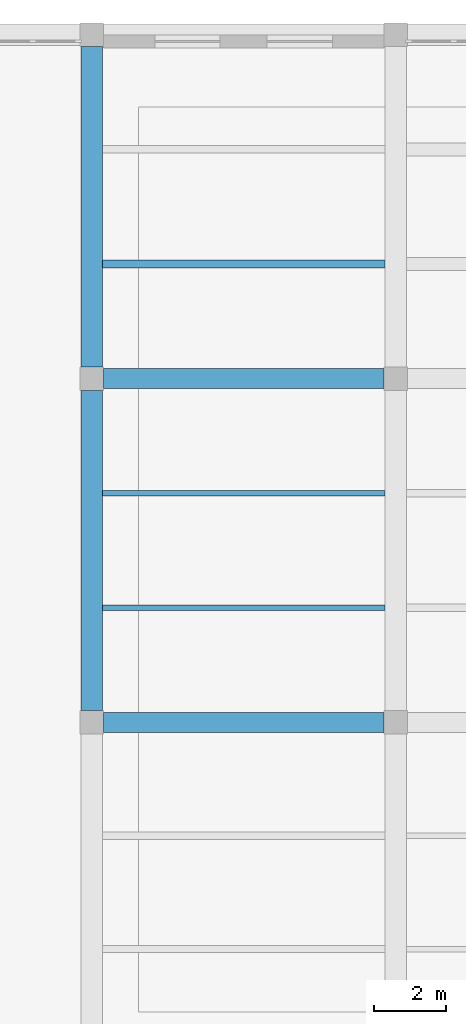
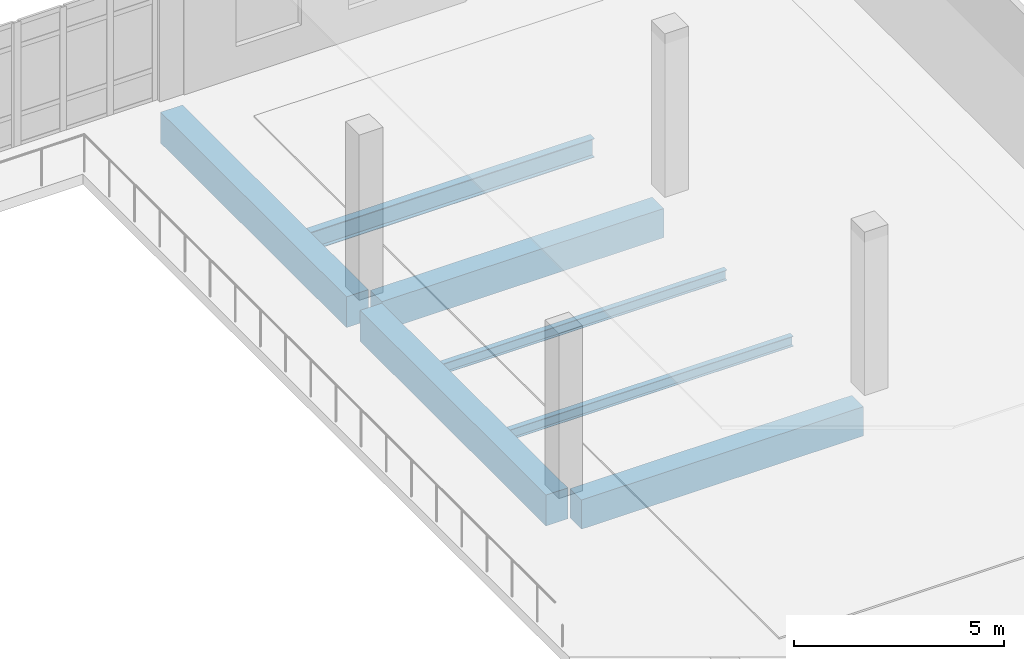
# One storey, part 21 of 73: 7 beams.
"""IFC4 building model written with IfcOpenShell, lengths in metres."""

from ifc_helpers import new_model, si_unit, direction, frame, origin, origin_2d, place, context, subcontext, project, spatial, rectangle, i_section, extrude, material, material_profile, profile_set, type_object, element, save


model = new_model("IFC4")

# Units and contexts
model_context = context("Model", 3, precision=1e-05, world=origin(), true_north=direction((0.0, 1.0)))
body_context = subcontext(model_context, "Body", "Model", "MODEL_VIEW")
ifc_project = project(units=[si_unit("LENGTHUNIT", "METRE"), si_unit("AREAUNIT", "SQUARE_METRE"), si_unit("VOLUMEUNIT", "CUBIC_METRE"), si_unit("PLANEANGLEUNIT", "RADIAN"), si_unit("MASSUNIT", "GRAM", prefix="KILO")], contexts=[model_context])

# Site, building, storey
site_placement = place(None, origin())
site = spatial("IfcSite", under=ifc_project, at=site_placement, CompositionType="ELEMENT")
building_placement = place(site_placement, origin())
building = spatial("IfcBuilding", under=site, at=building_placement, Name="Kelarvand Opera House", CompositionType="ELEMENT")
storey_placement = place(building_placement, frame((0.0, 0.0, 10.199951171875)))
storey = spatial("IfcBuildingStorey", under=building, at=storey_placement, Name="L02", CompositionType="ELEMENT", Elevation=10.199951171875)

# Beams
ifc_material_1 = material(Name="Concrete C40/50", Category="concrete")
ifc_material_profile_1 = material_profile(ifc_material_1, rectangle(XDim=0.550048828125, YDim=0.85009765625, at=origin_2d()), Name="RC 550x850", Category="concrete")
ifc_profile_set_1 = profile_set([ifc_material_profile_1], Name="Concrete C40/50")
beam_type_1 = type_object("IfcBeamType", Name="Structural Beam RC 550x850 BM-RC550x850", PredefinedType="BEAM", material=ifc_profile_set_1)
for number, where, z_axis, x_axis, name in (
    (1, (34.52490234375, 106.0, -0.724853515625), (1.0, 0.0, 0.0), (0.0, 1.0, 0.0), "V3 L02 Beam BM-RC550x850"),
    (2, (34.52490234375, 115.5, -0.724853515625), (1.0, 0.0, 0.0), (0.0, 1.0, 0.0), "V3 L02 Beam BM-RC550x850"),
):
    element("IfcBeam", number, at=place(storey_placement, frame(where, z_axis=z_axis, x_axis=x_axis)), inside=storey, type_object=beam_type_1, Name=name, PredefinedType="BEAM", context=body_context, shape_type="SweptSolid", body=[
        extrude(rectangle(XDim=0.550048828125, YDim=0.85009765625, at=origin_2d()), origin(), (0.0, 0.0, 1.0), 7.75),
    ])
ifc_material_profile_2 = material_profile(ifc_material_1, rectangle(XDim=0.60009765625, YDim=0.89990234375, at=origin_2d()), Name="RC 600x900", Category="concrete")
ifc_profile_set_2 = profile_set([ifc_material_profile_2], Name="Concrete C40/50")
beam_type_2 = type_object("IfcBeamType", Name="Structural Beam RC 600x900 BM-RC600x900", PredefinedType="BEAM", material=ifc_profile_set_2)
for number, where, z_axis, x_axis, name in (
    (3, (34.199951171875, 106.324951171875, -0.75), (0.0, 1.0, 0.0), (-1.0, 0.0, 0.0), "V3 L02 Beam BM-RC600x900"),
    (4, (34.199951171875, 115.824951171875, -0.75), (0.0, 1.0, 0.0), (-1.0, 0.0, 0.0), "V3 L02 Beam BM-RC600x900"),
):
    element("IfcBeam", number, at=place(storey_placement, frame(where, z_axis=z_axis, x_axis=x_axis)), inside=storey, type_object=beam_type_2, Name=name, PredefinedType="BEAM", context=body_context, shape_type="SweptSolid", body=[
        extrude(rectangle(XDim=0.60009765625, YDim=0.89990234375, at=origin_2d()), origin(), (0.0, 0.0, 1.0), 8.85009765625),
    ])
ifc_material_2 = material(Name="Steel S355", Category="steel")
ifc_material_profile_3 = material_profile(ifc_material_2, i_section(OverallWidth=0.14990234375, OverallDepth=0.300048828125, WebThickness=0.007080078125, FlangeThickness=0.0107421875, at=origin_2d()), Name="IPE 300", Category="steel")
ifc_profile_set_3 = profile_set([ifc_material_profile_3], Name="Steel S355")
beam_type_3 = type_object("IfcBeamType", Name="Structural Joist IPE 300 JS-IPE300", PredefinedType="JOIST", material=ifc_profile_set_3)
for number, where, z_axis, x_axis, name in (
    (5, (34.5, 109.166748046875, -0.449951171875), (1.0, 0.0, 0.0), (0.0, 1.0, 0.0), "V3 L02 Beam JS-IPE300"),
    (6, (34.5, 112.333251953125, -0.449951171875), (1.0, 0.0, 0.0), (0.0, 1.0, 0.0), "V3 L02 Beam JS-IPE300"),
):
    element("IfcBeam", number, at=place(storey_placement, frame(where, z_axis=z_axis, x_axis=x_axis)), inside=storey, type_object=beam_type_3, Name=name, PredefinedType="JOIST", context=body_context, shape_type="SweptSolid", body=[
        extrude(i_section(OverallWidth=0.14990234375, OverallDepth=0.300048828125, WebThickness=0.007080078125, FlangeThickness=0.0107421875, at=origin_2d()), origin(), (0.0, 0.0, 1.0), 7.800048828125),
    ])
ifc_material_profile_4 = material_profile(ifc_material_2, i_section(OverallWidth=0.2099609375, OverallDepth=0.550048828125, WebThickness=0.010986328125, FlangeThickness=0.01708984375, at=origin_2d()), Name="IPE 550", Category="steel")
ifc_profile_set_4 = profile_set([ifc_material_profile_4], Name="Steel S355")
beam_type_4 = type_object("IfcBeamType", Name="Structural Joist IPE 550 JS-IPE550", PredefinedType="JOIST", material=ifc_profile_set_4)
beam_placement = place(storey_placement, frame((34.5, 118.666748046875, -0.574951171875), z_axis=(1.0, 0.0, 0.0), x_axis=(0.0, 1.0, 0.0)))
element("IfcBeam", 7, at=beam_placement, inside=storey, type_object=beam_type_4, Name="V3 L02 Beam JS-IPE550", PredefinedType="JOIST", context=body_context, shape_type="SweptSolid", body=[
    extrude(i_section(OverallWidth=0.2099609375, OverallDepth=0.550048828125, WebThickness=0.010986328125, FlangeThickness=0.01708984375, at=origin_2d()), origin(), (0.0, 0.0, 1.0), 7.800048828125),
])

save(model, "model.ifc")
